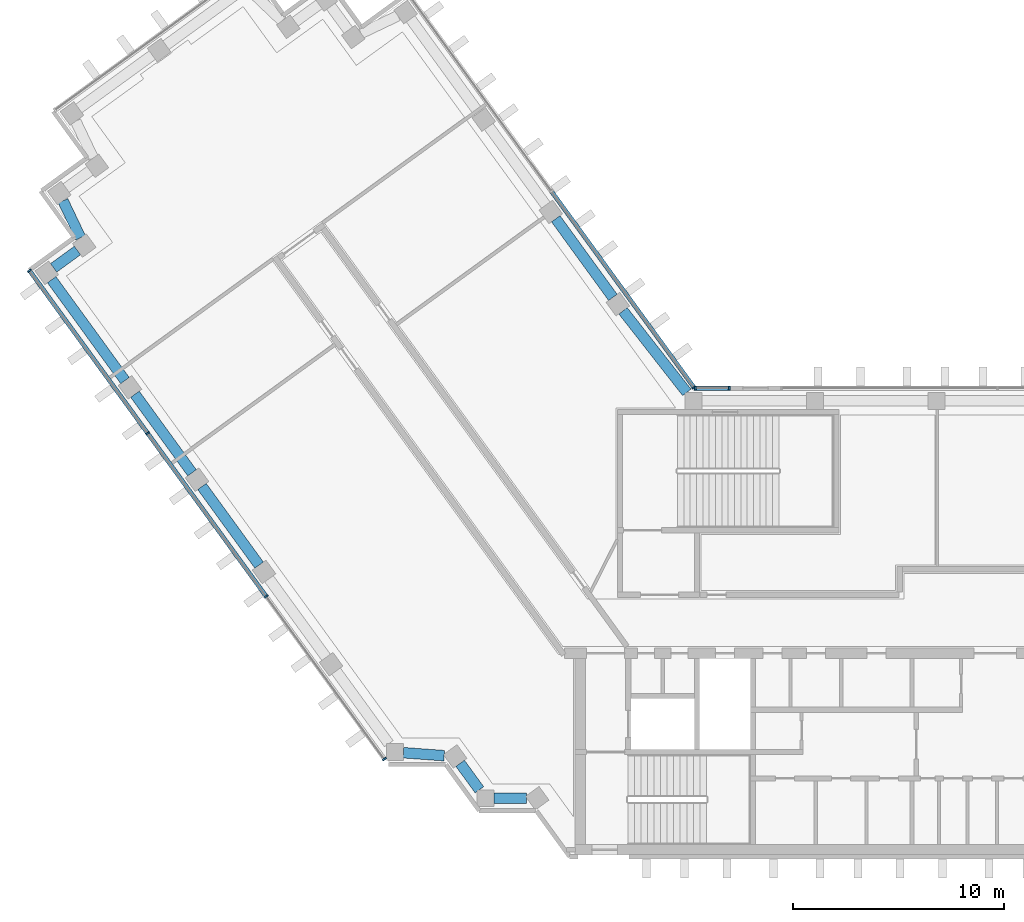
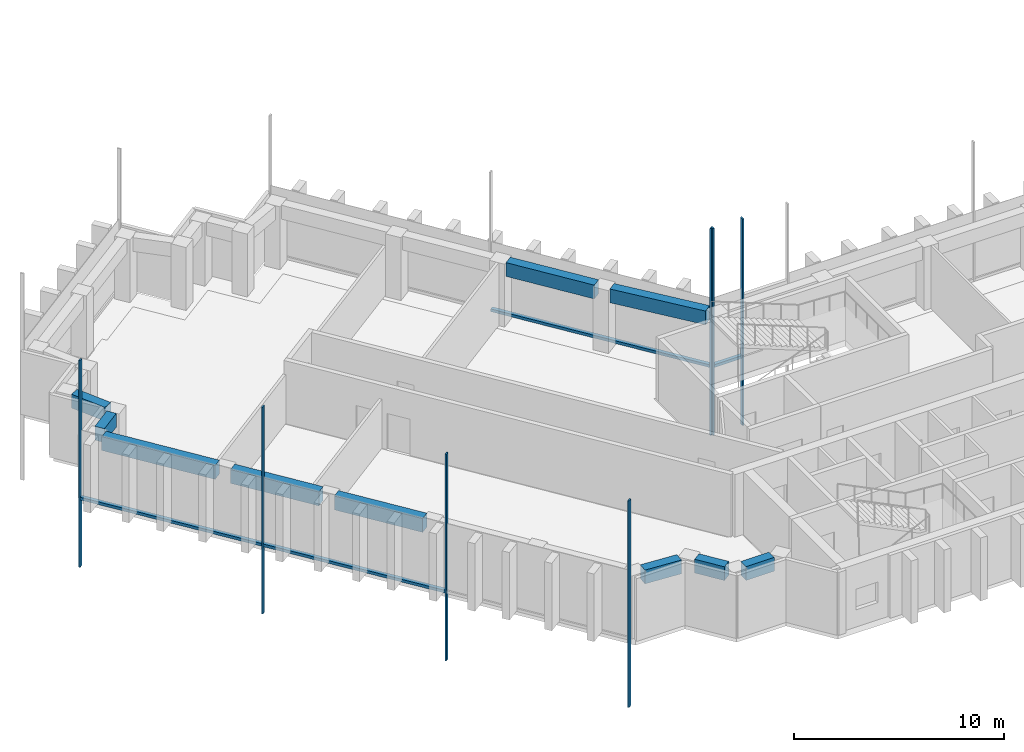
# One storey, part 2 of 12: 11 members, 10 beams, 3 elements without a shape of their own.
"""IFC4 building model written with IfcOpenShell, lengths in metres."""

import ifcopenshell
import ifcopenshell.guid

model = None  # the IFC model being written
_history = None  # IfcOwnerHistory: only IFC2X3 demands one
_inside = {}  # id of a spatial element -> (the spatial element, [elements in it])
_under = {}  # id of a project, library or spatial element -> (it, [spatial elements below it])
_declared = {}  # id of a project -> (the project, [libraries it declares])
_typed = {}  # id of a type object -> (the type object, [elements of that type])
_made_of = {}  # id of a material, layer set ... -> (it, [elements and type objects made of it])


def new_model(schema):
    """Start an empty IFC model of exactly this schema.

    Asked for "IFC4X3", IfcOpenShell would pick the latest addendum, in which some entities
    have other attributes; the version numbers below select the first issue.
    IFC2X3 requires an IfcOwnerHistory on every rooted entity: one is made here for all.
    """
    global model, _history
    if schema == "IFC4X3":
        model = ifcopenshell.file(schema_version=(4, 3, 0, 0))
    else:
        model = ifcopenshell.file(schema=schema)
    _inside.clear()
    _under.clear()
    _declared.clear()
    _typed.clear()
    _made_of.clear()
    _history = None
    if model.schema == "IFC2X3":
        org = make("IfcOrganization", Name="unknown")
        user = make(
            "IfcPersonAndOrganization",
            ThePerson=make("IfcPerson", FamilyName="unknown"),
            TheOrganization=org,
        )
        app = make(
            "IfcApplication",
            ApplicationDeveloper=org,
            Version="unknown",
            ApplicationFullName="unknown",
            ApplicationIdentifier="unknown",
        )
        _history = make(
            "IfcOwnerHistory",
            OwningUser=user,
            OwningApplication=app,
            ChangeAction="ADDED",
            CreationDate=0,
        )
    return model


def make(cls, **values):
    """One entity of the class cls with the attributes given. An attribute that is None is left unset."""
    return model.create_entity(
        cls, **{name: value for name, value in values.items() if value is not None}
    )


def rooted(cls, **values):
    """An entity with a GlobalId (a new one), such as an element, a storey or a relation."""
    return make(cls, GlobalId=ifcopenshell.guid.new(), OwnerHistory=_history, **values)


def si_unit(unit_type, name, prefix=None):
    """IfcSIUnit, for example si_unit("LENGTHUNIT", "METRE", prefix="MILLI")."""
    return make("IfcSIUnit", UnitType=unit_type, Prefix=prefix, Name=name)


def assignment(units):
    """IfcUnitAssignment: the units of a project."""
    return None if units is None else make("IfcUnitAssignment", Units=units)


def point(xyz):
    """IfcCartesianPoint."""
    return None if xyz is None else make("IfcCartesianPoint", Coordinates=xyz)


def direction(xyz):
    """IfcDirection."""
    return None if xyz is None else make("IfcDirection", DirectionRatios=xyz)


def frame(location, z_axis=None, x_axis=None):
    """IfcAxis2Placement3D, a coordinate frame: its origin and axes. An axis left out is left unset."""
    return make(
        "IfcAxis2Placement3D",
        Location=point(location),
        Axis=direction(z_axis),
        RefDirection=direction(x_axis),
    )


def frame_2d(location, x_axis=None):
    """IfcAxis2Placement2D, a coordinate frame in the plane: its origin and x axis."""
    return make(
        "IfcAxis2Placement2D", Location=point(location), RefDirection=direction(x_axis)
    )


def origin():
    """The frame at (0, 0, 0) with its axes left unset."""
    return frame((0.0, 0.0, 0.0))


def origin_2d():
    """The frame at (0, 0) in the plane with its x axis left unset."""
    return frame_2d((0.0, 0.0))


def place(relative_to, where):
    """IfcLocalPlacement: puts the frame where relative to a parent placement (None: the world)."""
    return make(
        "IfcLocalPlacement", PlacementRelTo=relative_to, RelativePlacement=where
    )


def context(
    kind, dimensions, precision=None, world=None, true_north=None, identifier=None
):
    """IfcGeometricRepresentationContext, for example the 3D "Model" context."""
    return make(
        "IfcGeometricRepresentationContext",
        ContextIdentifier=identifier,
        ContextType=kind,
        CoordinateSpaceDimension=dimensions,
        Precision=precision,
        WorldCoordinateSystem=world,
        TrueNorth=true_north,
    )


def subcontext(parent, identifier, kind, view, scale=None):
    """IfcGeometricRepresentationSubContext, for example "Body" below "Model"."""
    return make(
        "IfcGeometricRepresentationSubContext",
        ContextIdentifier=identifier,
        ContextType=kind,
        ParentContext=parent,
        TargetScale=scale,
        TargetView=view,
    )


def project(units=None, contexts=None):
    """IfcProject with its units and contexts."""
    return rooted(
        "IfcProject",
        Name="project",
        RepresentationContexts=contexts,
        UnitsInContext=assignment(units),
    )


def spatial(cls, under=None, at=None, **own):
    """A site, building, storey or space (cls), placed at a placement, below another one or the project."""
    s = rooted(cls, ObjectPlacement=at, **own)
    if under is not None:
        _under.setdefault(under.id(), (under, []))[1].append(s)
    return s


def profile(cls, at=None, kind="AREA", **sizes):
    """A parametric profile (cls). Its sizes go by their IFC names, for example OverallWidth=200.0."""
    return make(cls, ProfileType=kind, Position=at, **sizes)


def rectangle(**sizes):
    """IfcRectangleProfileDef."""
    return profile("IfcRectangleProfileDef", **sizes)


def extrude(swept, where, along, depth):
    """IfcExtrudedAreaSolid: the profile swept, set in the frame where, extruded along a direction by depth."""
    return make(
        "IfcExtrudedAreaSolid",
        SweptArea=swept,
        Position=where,
        ExtrudedDirection=direction(along),
        Depth=depth,
    )


def shape(context_of_items, identifier, shape_type, items):
    """IfcShapeRepresentation: the items that make up one representation, for example the "Body"."""
    return make(
        "IfcShapeRepresentation",
        ContextOfItems=context_of_items,
        RepresentationIdentifier=identifier,
        RepresentationType=shape_type,
        Items=items,
    )


def material(Name=None, Category=None):
    """IfcMaterial."""
    return make("IfcMaterial", Name=Name, Category=Category)


def material_profile(
    of_material, cross_section, Name=None, Category=None, Priority=None
):
    """IfcMaterialProfile: a cross section and its material."""
    return make(
        "IfcMaterialProfile",
        Name=Name,
        Material=of_material,
        Profile=cross_section,
        Priority=Priority,
        Category=Category,
    )


def profile_set(profiles, Name=None, composite=None):
    """IfcMaterialProfileSet."""
    return make(
        "IfcMaterialProfileSet",
        Name=Name,
        MaterialProfiles=profiles,
        CompositeProfile=composite,
    )


def made_of(thing, what):
    """Note that an element or type object is made of a material, layer set ...; save() writes the relation."""
    if what is not None:
        _made_of.setdefault(what.id(), (what, []))[1].append(thing)
    return thing


def type_object(cls, material=None, **own):
    """A type object (cls), such as IfcWallType, which elements share."""
    return made_of(rooted(cls, **own), material)


def element(
    cls,
    number,
    at=None,
    inside=None,
    cuts=None,
    type_object=None,
    material=None,
    context=None,
    identifier="Body",
    shape_type=None,
    held_by="IfcProductDefinitionShape",
    body=None,
    shapes=None,
    **own,
):
    """One element of the class cls, such as IfcWall. Its Tag is "e" and its number.

    at: its placement. inside: the storey or other place that contains it. cuts: it is an
    opening in that element (IfcRelVoidsElement). A single representation is given by context,
    identifier, shape_type and body (its items); several are given by shapes. held_by: the class
    of the entity that holds the representations. save() writes the other relations.
    """
    e = rooted(cls, Tag="e%d" % number, ObjectPlacement=at, **own)
    if body is not None:
        shapes = [shape(context, identifier, shape_type, body)]
    if shapes is not None:
        e.Representation = make(held_by, Representations=shapes)
    if inside is not None:
        _inside.setdefault(inside.id(), (inside, []))[1].append(e)
    if cuts is not None:
        rooted(
            "IfcRelVoidsElement", RelatingBuildingElement=cuts, RelatedOpeningElement=e
        )
    if type_object is not None:
        _typed.setdefault(type_object.id(), (type_object, []))[1].append(e)
    return made_of(e, material)


def aggregate(whole, parts):
    """IfcRelAggregates: a whole, such as a stair, and the parts it consists of."""
    return rooted("IfcRelAggregates", RelatingObject=whole, RelatedObjects=parts)


def save(model, path):
    """Write the relations noted so far, then the file.

    IfcRelAggregates (storeys below a building ...), IfcRelContainedInSpatialStructure (elements
    in a storey), IfcRelDefinesByType, IfcRelAssociatesMaterial and IfcRelDeclares: one each for
    every whole, place, type object, material and project.
    """
    for whole, parts in _under.values():
        aggregate(whole, parts)
    for where, things in _inside.values():
        rooted(
            "IfcRelContainedInSpatialStructure",
            RelatedElements=things,
            RelatingStructure=where,
        )
    for kind, things in _typed.values():
        rooted("IfcRelDefinesByType", RelatedObjects=things, RelatingType=kind)
    for what, things in _made_of.values():
        rooted("IfcRelAssociatesMaterial", RelatedObjects=things, RelatingMaterial=what)
    for by, libraries in _declared.values():
        rooted("IfcRelDeclares", RelatingContext=by, RelatedDefinitions=libraries)
    model.write(path)


model = new_model("IFC4")

# Units and contexts
model_context = context("Model", 3, precision=1e-05, world=origin(), true_north=direction((0.0, 1.0)))
body_context = subcontext(model_context, "Body", "Model", "MODEL_VIEW")
ifc_project = project(units=[si_unit("LENGTHUNIT", "METRE"), si_unit("AREAUNIT", "SQUARE_METRE"), si_unit("VOLUMEUNIT", "CUBIC_METRE"), si_unit("PLANEANGLEUNIT", "RADIAN"), si_unit("MASSUNIT", "GRAM", prefix="KILO")], contexts=[model_context])

# Site, building, storey
site_placement = place(None, origin())
site = spatial("IfcSite", under=ifc_project, at=site_placement, CompositionType="ELEMENT")
building_placement = place(site_placement, origin())
building = spatial("IfcBuilding", under=site, at=building_placement, Name="Quipu Civic Tower", CompositionType="ELEMENT")
storey_placement = place(building_placement, frame((0.0, 0.0, 210.0)))
storey = spatial("IfcBuildingStorey", under=building, at=storey_placement, Name="L49", CompositionType="ELEMENT", Elevation=210.0)

# Curtain wall, member
ifc_material_1 = material(Name="Insulated glass unit", Category="glass")
curtain_wall_type = type_object("IfcCurtainWallType", Name="Office curtain wall CW1", PredefinedType="NOTDEFINED", material=ifc_material_1)
curtain_wall_1_placement = place(storey_placement, origin())
curtain_wall_1 = element("IfcCurtainWall", 1, at=curtain_wall_1_placement, inside=storey, type_object=curtain_wall_type, Name="Office curtain wall CW1 L48 run 8", PredefinedType="NOTDEFINED")
ifc_material_2 = material(Name="Anodised aluminium", Category="aluminium")
ifc_material_profile_1 = material_profile(ifc_material_2, rectangle(XDim=0.199951171875, YDim=0.080078125, at=origin_2d()), Name="RECT 200x80")
ifc_profile_set_1 = profile_set([ifc_material_profile_1], Name="Anodised aluminium")
member_type_1 = type_object("IfcMemberType", Name="Mullion CW1", PredefinedType="MULLION", material=ifc_profile_set_1)
member_1_placement = place(storey_placement, frame((-14.36767578125, 11.13232421875, -3.919921875), z_axis=(0.0, 0.0, 1.0), x_axis=(-0.809014469803, -0.587788727052, 0.0)))
member_1 = element("IfcMember", 2, at=member_1_placement, type_object=member_type_1, Name="CW1 mullion 1", PredefinedType="MULLION", context=body_context, shape_type="SweptSolid", body=[
    extrude(rectangle(XDim=0.199951171875, YDim=0.080078125, at=origin_2d()), origin(), (0.0, 0.0, 1.0), 12.0),
])

# Curtain wall, members
curtain_wall_2_placement = place(storey_placement, origin())
curtain_wall_2 = element("IfcCurtainWall", 3, at=curtain_wall_2_placement, inside=storey, type_object=curtain_wall_type, Name="Office curtain wall CW1 L48 run 18", PredefinedType="NOTDEFINED")
member_2_placement = place(storey_placement, frame((-45.825927734375, 16.661865234375, -3.919921875), z_axis=(0.0, 0.0, 1.0), x_axis=(0.80901667469, 0.5877856923, 0.0)))
member_2 = element("IfcMember", 4, at=member_2_placement, type_object=member_type_1, Name="CW1 mullion 1", PredefinedType="MULLION", context=body_context, shape_type="SweptSolid", body=[
    extrude(rectangle(XDim=0.199951171875, YDim=0.080078125, at=origin_2d()), origin(), (0.0, 0.0, 1.0), 12.0),
])
member_3_placement = place(storey_placement, frame((-40.23486328125, 8.966552734375, -3.919921875), z_axis=(0.0, 0.0, 1.0), x_axis=(0.80901667469, 0.5877856923, 0.0)))
member_3 = element("IfcMember", 5, at=member_3_placement, type_object=member_type_1, Name="CW1 mullion 2", PredefinedType="MULLION", context=body_context, shape_type="SweptSolid", body=[
    extrude(rectangle(XDim=0.199951171875, YDim=0.080078125, at=origin_2d()), origin(), (0.0, 0.0, 1.0), 12.0),
])
member_4_placement = place(storey_placement, frame((-34.620361328125, 1.23876953125, -3.919921875), z_axis=(0.0, 0.0, 1.0), x_axis=(0.80901667469, 0.5877856923, 0.0)))
member_4 = element("IfcMember", 6, at=member_4_placement, type_object=member_type_1, Name="CW1 mullion 3", PredefinedType="MULLION", context=body_context, shape_type="SweptSolid", body=[
    extrude(rectangle(XDim=0.199951171875, YDim=0.080078125, at=origin_2d()), origin(), (0.0, 0.0, 1.0), 12.0),
])
member_5_placement = place(storey_placement, frame((-29.029296875, -6.45654296875, -3.919921875), z_axis=(0.0, 0.0, 1.0), x_axis=(0.80901667469, 0.5877856923, 0.0)))
member_5 = element("IfcMember", 7, at=member_5_placement, type_object=member_type_1, Name="CW1 mullion 4", PredefinedType="MULLION", context=body_context, shape_type="SweptSolid", body=[
    extrude(rectangle(XDim=0.199951171875, YDim=0.080078125, at=origin_2d()), origin(), (0.0, 0.0, 1.0), 12.0),
])

curtain_wall_3_placement = place(storey_placement, origin())
curtain_wall_3 = element("IfcCurtainWall", 8, at=curtain_wall_3_placement, inside=storey, type_object=curtain_wall_type, Name="Office curtain wall CW1 L48 run 38", PredefinedType="NOTDEFINED")
member_6_placement = place(storey_placement, frame((-12.695068359375, 11.10009765625, -3.919921875), z_axis=(0.0, 0.0, 1.0), x_axis=(0.0, -1.0, 0.0)))
member_6 = element("IfcMember", 9, at=member_6_placement, type_object=member_type_1, Name="CW1 mullion 1", PredefinedType="MULLION", context=body_context, shape_type="SweptSolid", body=[
    extrude(rectangle(XDim=0.199951171875, YDim=0.080078125, at=origin_2d()), origin(), (0.0, 0.0, 1.0), 12.0),
])
member_7_placement = place(storey_placement, frame((-14.30419921875, 11.10009765625, -3.919921875), z_axis=(0.0, 0.0, 1.0), x_axis=(0.0, -1.0, 0.0)))
member_7 = element("IfcMember", 10, at=member_7_placement, type_object=member_type_1, Name="CW1 mullion 2", PredefinedType="MULLION", context=body_context, shape_type="SweptSolid", body=[
    extrude(rectangle(XDim=0.199951171875, YDim=0.080078125, at=origin_2d()), origin(), (0.0, 0.0, 1.0), 12.0),
])

# Beams
ifc_material_3 = material(Name="Concrete C50/60", Category="concrete")
ifc_material_profile_2 = material_profile(ifc_material_3, rectangle(XDim=0.5, YDim=0.800048828125, at=origin_2d()), Name="RC500x800")
ifc_profile_set_2 = profile_set([ifc_material_profile_2], Name="Concrete C50/60")
beam_type = type_object("IfcBeamType", Name="Spandrel beam RC 500x800 C50/60", PredefinedType="SPANDREL", material=ifc_profile_set_2)
beam_1_placement = place(storey_placement, frame((-18.208740234375, 15.398681640625, 3.25), z_axis=(-0.58776136044, 0.809034352283, 0.0), x_axis=(-0.809034352283, -0.58776136044, 0.0)))
element("IfcBeam", 11, at=beam_1_placement, inside=storey, type_object=beam_type, Name="Spandrel beam L49 W-IN-01 to W-IN-02", PredefinedType="SPANDREL", context=body_context, shape_type="SweptSolid", body=[
    extrude(rectangle(XDim=0.5, YDim=0.800048828125, at=origin_2d()), origin(), (0.0, 0.0, 1.0), 4.599853515625),
])
beam_2_placement = place(storey_placement, frame((-44.23974609375, 19.9677734375, 3.25), z_axis=(0.430785642718, -0.902454281406, 0.0), x_axis=(0.902454281406, 0.430785642718, 0.0)))
element("IfcBeam", 12, at=beam_2_placement, inside=storey, type_object=beam_type, Name="Spandrel beam L49 T-Wo.2-W34 to T-Wo.3-W34", PredefinedType="SPANDREL", context=body_context, shape_type="SweptSolid", body=[
    extrude(rectangle(XDim=0.5, YDim=0.800048828125, at=origin_2d()), origin(), (0.0, 0.0, 1.0), 1.934814453125),
])
beam_3_placement = place(storey_placement, frame((-43.554443359375, 17.619140625, 3.25), z_axis=(-0.808600329101, -0.588358315805, 0.0), x_axis=(0.588358315805, -0.808600329101, 0.0)))
element("IfcBeam", 13, at=beam_3_placement, inside=storey, type_object=beam_type, Name="Spandrel beam L49 T-Wo.3-W34 to T-Wo.4-W34", PredefinedType="SPANDREL", context=body_context, shape_type="SweptSolid", body=[
    extrude(rectangle(XDim=0.5, YDim=0.800048828125, at=origin_2d()), origin(), (0.0, 0.0, 1.0), 1.400146484375),
])
beam_4_placement = place(storey_placement, frame((-44.77490234375, 16.236328125, 3.25), z_axis=(0.58780026889, -0.809006083965, 0.0), x_axis=(0.809006083965, 0.58780026889, 0.0)))
element("IfcBeam", 14, at=beam_4_placement, inside=storey, type_object=beam_type, Name="Spandrel beam L49 T-Wo.4-W34 to W-OUT-04", PredefinedType="SPANDREL", context=body_context, shape_type="SweptSolid", body=[
    extrude(rectangle(XDim=0.5, YDim=0.800048828125, at=origin_2d()), origin(), (0.0, 0.0, 1.0), 5.902587890625),
])
beam_5_placement = place(storey_placement, frame((-40.835205078125, 10.81396484375, 3.25), z_axis=(0.587770861189, -0.809027449928, 0.0), x_axis=(0.809027449928, 0.587770861189, 0.0)))
element("IfcBeam", 15, at=beam_5_placement, inside=storey, type_object=beam_type, Name="Spandrel beam L49 W-OUT-04 to W-OUT-03", PredefinedType="SPANDREL", context=body_context, shape_type="SweptSolid", body=[
    extrude(rectangle(XDim=0.5, YDim=0.800048828125, at=origin_2d()), origin(), (0.0, 0.0, 1.0), 4.60009765625),
])
beam_6_placement = place(storey_placement, frame((-37.6611328125, 6.445068359375, 3.25), z_axis=(0.58776136044, -0.809034352283, 0.0), x_axis=(0.809034352283, 0.58776136044, 0.0)))
element("IfcBeam", 16, at=beam_6_placement, inside=storey, type_object=beam_type, Name="Spandrel beam L49 W-OUT-03 to W-OUT-02", PredefinedType="SPANDREL", context=body_context, shape_type="SweptSolid", body=[
    extrude(rectangle(XDim=0.5, YDim=0.800048828125, at=origin_2d()), origin(), (0.0, 0.0, 1.0), 4.599853515625),
])
beam_7_placement = place(storey_placement, frame((-28.125, -6.158935546875, 3.25), z_axis=(0.997370796499, -0.072467194581, 0.0), x_axis=(0.072467194581, 0.997370796499, 0.0)))
element("IfcBeam", 17, at=beam_7_placement, inside=storey, type_object=beam_type, Name="Spandrel beam L49 J-Wo.0 to J-Wo.1", PredefinedType="SPANDREL", context=body_context, shape_type="SweptSolid", body=[
    extrude(rectangle(XDim=0.5, YDim=0.800048828125, at=origin_2d()), origin(), (0.0, 0.0, 1.0), 1.933837890625),
])
beam_8_placement = place(storey_placement, frame((-25.43896484375, -6.660400390625, 3.25), z_axis=(0.588330737135, -0.808620395329, 0.0), x_axis=(0.808620395329, 0.588330737135, 0.0)))
element("IfcBeam", 18, at=beam_8_placement, inside=storey, type_object=beam_type, Name="Spandrel beam L49 J-Wo.1 to J-Wo.2", PredefinedType="SPANDREL", context=body_context, shape_type="SweptSolid", body=[
    extrude(rectangle(XDim=0.5, YDim=0.800048828125, at=origin_2d()), origin(), (0.0, 0.0, 1.0), 1.551513671875),
])
beam_9_placement = place(storey_placement, frame((-23.8349609375, -8.31494140625, 3.25), z_axis=(1.0, 0.0, 0.0), x_axis=(0.0, 1.0, 0.0)))
element("IfcBeam", 19, at=beam_9_placement, inside=storey, type_object=beam_type, Name="Spandrel beam L49 J-Wo.2 to J-Wo.3", PredefinedType="SPANDREL", context=body_context, shape_type="SweptSolid", body=[
    extrude(rectangle(XDim=0.5, YDim=0.800048828125, at=origin_2d()), origin(), (0.0, 0.0, 1.0), 1.548828125),
])
beam_10_placement = place(storey_placement, frame((-14.7080078125, 10.89990234375, 3.25), z_axis=(-0.616090612932, 0.787675286306, 0.0), x_axis=(-0.787675286306, -0.616090612932, 0.0)))
element("IfcBeam", 20, at=beam_10_placement, inside=storey, type_object=beam_type, Name="Spandrel beam L49 J-Wi.0 to W-IN-01", PredefinedType="SPANDREL", context=body_context, shape_type="SweptSolid", body=[
    extrude(rectangle(XDim=0.5, YDim=0.800048828125, at=origin_2d()), origin(), (0.0, 0.0, 1.0), 4.900390625),
])

# Member
ifc_material_4 = material(Name="Anodised aluminium", Category="aluminium")
ifc_material_profile_3 = material_profile(ifc_material_4, rectangle(XDim=0.199951171875, YDim=0.159912109375, at=origin_2d()), Name="RECT 200x160")
ifc_profile_set_3 = profile_set([ifc_material_profile_3], Name="Anodised aluminium")
member_type_2 = type_object("IfcMemberType", Name="Transom CW1", PredefinedType="USERDEFINED", material=ifc_profile_set_3)
member_8_placement = place(storey_placement, frame((-14.39111328125, 11.164794921875, 0.080078125), z_axis=(-0.587799878401, 0.809006367683, 0.0), x_axis=(-0.809006367683, -0.587799878401, 0.0)))
member_8 = element("IfcMember", 21, at=member_8_placement, type_object=member_type_2, Name="CW1 transom 1.2", ObjectType="TRANSOM", PredefinedType="USERDEFINED", context=body_context, shape_type="SweptSolid", body=[
    extrude(rectangle(XDim=0.199951171875, YDim=0.159912109375, at=origin_2d()), origin(), (0.0, 0.0, 1.0), 11.402099609375),
])

aggregate(curtain_wall_1, [member_1, member_8])

member_9_placement = place(storey_placement, frame((-45.802490234375, 16.629638671875, 0.080078125), z_axis=(0.587783783239, -0.809018061703, 0.0), x_axis=(0.809018061703, 0.587783783239, 0.0)))
member_9 = element("IfcMember", 22, at=member_9_placement, type_object=member_type_2, Name="CW1 transom 1.2", ObjectType="TRANSOM", PredefinedType="USERDEFINED", context=body_context, shape_type="SweptSolid", body=[
    extrude(rectangle(XDim=0.199951171875, YDim=0.159912109375, at=origin_2d()), origin(), (0.0, 0.0, 1.0), 9.431884765625),
])

member_10_placement = place(storey_placement, frame((-40.21142578125, 8.934326171875, 0.080078125), z_axis=(0.587773158676, -0.809025780763, 0.0), x_axis=(0.809025780763, 0.587773158676, 0.0)))
member_10 = element("IfcMember", 23, at=member_10_placement, type_object=member_type_2, Name="CW1 transom 2.2", ObjectType="TRANSOM", PredefinedType="USERDEFINED", context=body_context, shape_type="SweptSolid", body=[
    extrude(rectangle(XDim=0.199951171875, YDim=0.159912109375, at=origin_2d()), origin(), (0.0, 0.0, 1.0), 9.471923828125),
])

aggregate(curtain_wall_2, [member_2, member_3, member_4, member_5, member_9, member_10])

member_11_placement = place(storey_placement, frame((-12.735107421875, 11.10009765625, 0.080078125), z_axis=(-1.0, 0.0, 0.0), x_axis=(0.0, -1.0, 0.0)))
member_11 = element("IfcMember", 24, at=member_11_placement, type_object=member_type_2, Name="CW1 transom 1.2", ObjectType="TRANSOM", PredefinedType="USERDEFINED", context=body_context, shape_type="SweptSolid", body=[
    extrude(rectangle(XDim=0.199951171875, YDim=0.159912109375, at=origin_2d()), origin(), (0.0, 0.0, 1.0), 1.529052734375),
])

aggregate(curtain_wall_3, [member_6, member_7, member_11])

save(model, "model.ifc")
